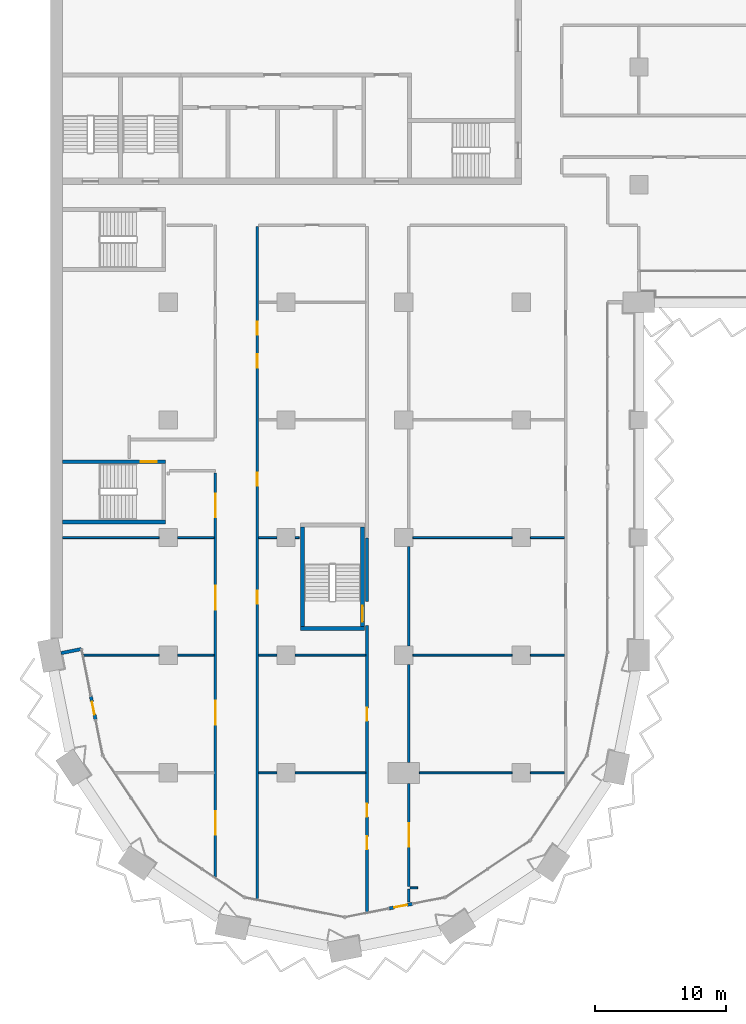
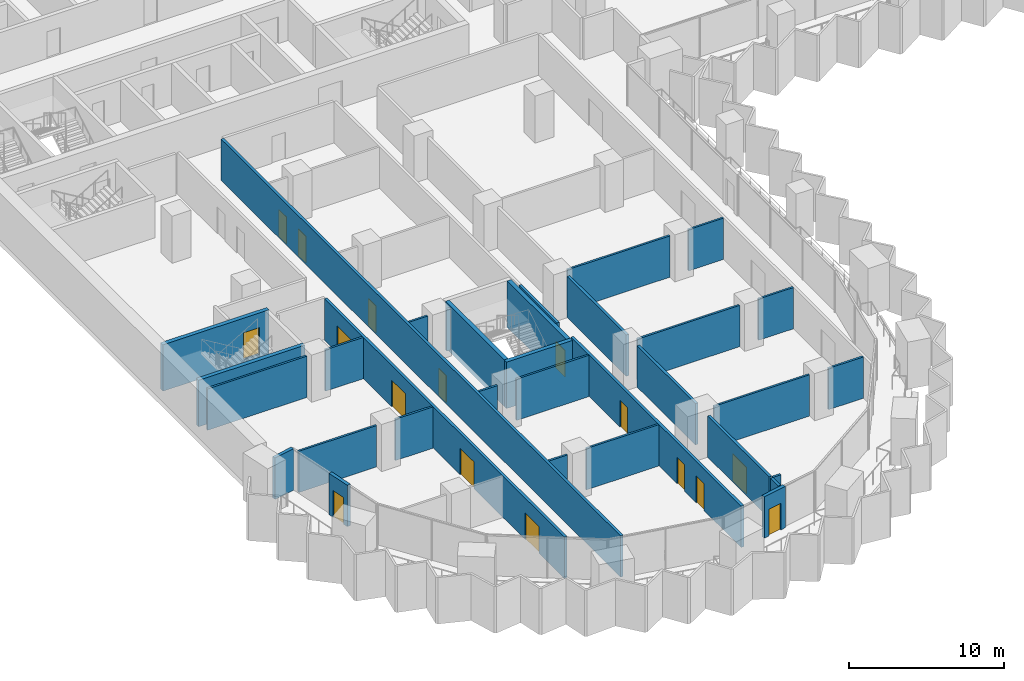
# One storey, part 10 of 28: 33 walls, 16 doors, 16 openings.
"""IFC4 building model written with IfcOpenShell, lengths in metres."""

from ifc_helpers import new_model, si_unit, direction, frame, frame_2d, origin, place, context, subcontext, project, spatial, rectangle, extrude, material, layer, layer_set, type_object, element, fill, save


model = new_model("IFC4")

# Units and contexts
model_context = context("Model", 3, precision=1e-05, world=origin(), true_north=direction((0.0, 1.0)))
body_context = subcontext(model_context, "Body", "Model", "MODEL_VIEW")
ifc_project = project(units=[si_unit("LENGTHUNIT", "METRE"), si_unit("AREAUNIT", "SQUARE_METRE"), si_unit("VOLUMEUNIT", "CUBIC_METRE"), si_unit("PLANEANGLEUNIT", "RADIAN"), si_unit("MASSUNIT", "GRAM", prefix="KILO")], contexts=[model_context])

# Site, building, storey
site_placement = place(None, origin())
site = spatial("IfcSite", under=ifc_project, at=site_placement, CompositionType="ELEMENT")
building_placement = place(site_placement, origin())
building = spatial("IfcBuilding", under=site, at=building_placement, Name="Hunhe Ridgeline Campus", CompositionType="ELEMENT")
storey_placement = place(building_placement, frame((0.0, 0.0, 76.5)))
storey = spatial("IfcBuildingStorey", under=building, at=storey_placement, Name="L18", CompositionType="ELEMENT", Elevation=76.5)

# Wall
ifc_material_1 = material(Name="Concrete C30", Category="concrete")
ifc_layer_1 = layer(ifc_material_1, 0.25)
ifc_layer_set_1 = layer_set([ifc_layer_1], Name="Corner return wall 250 Concrete C30")
wall_type_1 = type_object("IfcWallType", Name="Corner return wall 250 Concrete C30", PredefinedType="SOLIDWALL", material=ifc_layer_set_1)
wall_1_placement = place(storey_placement, frame((0.784423828125, 27.15673828125, 0.0), z_axis=(0.0, 0.0, 1.0), x_axis=(0.980826234823, 0.19488431718, 0.0)))
element("IfcWall", 1, at=wall_1_placement, inside=storey, type_object=wall_type_1, Name="Corner return wall 1", PredefinedType="SOLIDWALL", context=body_context, shape_type="SweptSolid", body=[
    extrude(rectangle(XDim=1.60107421875, YDim=0.25, at=frame_2d((0.800537109375, 0.0))), origin(), (0.0, 0.0, 1.0), 3.25),
])

# Wall, openings, doors
ifc_material_2 = material(Name="Gypsum board partition")
ifc_layer_2 = layer(ifc_material_2, 0.199951171875)
ifc_layer_set_2 = layer_set([ifc_layer_2], Name="Corridor partition 200 gypsum board on steel studs")
wall_type_2 = type_object("IfcWallType", Name="Corridor partition 200 gypsum board on steel studs", PredefinedType="PARTITIONING", material=ifc_layer_set_2)
wall_2_placement = place(storey_placement, frame((12.60009765625, 10.027099609375, 0.0), z_axis=(0.0, 0.0, 1.0), x_axis=(0.0, 1.0, 0.0)))
wall_2 = element("IfcWall", 2, at=wall_2_placement, inside=storey, type_object=wall_type_2, Name="F-L18-wall-047", PredefinedType="PARTITIONING", context=body_context, shape_type="SweptSolid", body=[
    extrude(rectangle(XDim=30.921142578125, YDim=0.199951171875, at=frame_2d((15.46044921875, 0.0))), origin(), (0.0, 0.0, 1.0), 3.25),
])
opening_1_placement = place(wall_2_placement, frame((3.248046875, 0.0, 0.0)))
opening_1 = element("IfcOpeningElement", 3, at=opening_1_placement, cuts=wall_2, Name="Opening RD2-003", PredefinedType="OPENING", context=body_context, shape_type="SweptSolid", body=[
    extrude(rectangle(XDim=1.800048828125, YDim=2.10009765625, at=frame_2d((0.89990234375, 1.050048828125))), frame((0.0, 0.10009765625, 0.0), z_axis=(0.0, -1.0, 0.0), x_axis=(1.0, 0.0, 0.0)), (0.0, 0.0, 1.0), 0.199951171875),
])
opening_2_placement = place(wall_2_placement, frame((11.669677734375, 0.0, 0.0)))
opening_2 = element("IfcOpeningElement", 4, at=opening_2_placement, cuts=wall_2, Name="Opening RD2-007", PredefinedType="OPENING", context=body_context, shape_type="SweptSolid", body=[
    extrude(rectangle(XDim=1.800048828125, YDim=2.10009765625, at=frame_2d((0.89990234375, 1.050048828125))), frame((0.0, 0.10009765625, 0.0), z_axis=(0.0, -1.0, 0.0), x_axis=(1.0, 0.0, 0.0)), (0.0, 0.0, 1.0), 0.199951171875),
])
opening_3_placement = place(wall_2_placement, frame((20.46826171875, 0.0, 0.0)))
opening_3 = element("IfcOpeningElement", 5, at=opening_3_placement, cuts=wall_2, Name="Opening RD2-008", PredefinedType="OPENING", context=body_context, shape_type="SweptSolid", body=[
    extrude(rectangle(XDim=1.800048828125, YDim=2.10009765625, at=frame_2d((0.89990234375, 1.050048828125))), frame((0.0, 0.10009765625, 0.0), z_axis=(0.0, -1.0, 0.0), x_axis=(1.0, 0.0, 0.0)), (0.0, 0.0, 1.0), 0.199951171875),
])
opening_4_placement = place(wall_2_placement, frame((27.50732421875, 0.0, 0.0)))
opening_4 = element("IfcOpeningElement", 6, at=opening_4_placement, cuts=wall_2, Name="Opening RD2-011", PredefinedType="OPENING", context=body_context, shape_type="SweptSolid", body=[
    extrude(rectangle(XDim=1.800048828125, YDim=2.10009765625, at=frame_2d((0.89990234375, 1.050048828125))), frame((0.0, 0.10009765625, 0.0), z_axis=(0.0, -1.0, 0.0), x_axis=(1.0, 0.0, 0.0)), (0.0, 0.0, 1.0), 0.199951171875),
])
ifc_material_3 = material(Name="Timber door leaf", Category="wood")
door_type_1 = type_object("IfcDoorType", Name="Double fire door 1800x2100 timber FD60", OperationType="DOUBLE_DOOR_SINGLE_SWING", PredefinedType="DOOR", material=ifc_material_3)
door_1_placement = place(opening_1_placement, origin())
door_1 = element("IfcDoor", 7, at=door_1_placement, inside=storey, type_object=door_type_1, Name="F-L18-door-003", OperationType="DOUBLE_DOOR_SINGLE_SWING", OverallHeight=2.10009765625, OverallWidth=1.800048828125, PredefinedType="DOOR", context=body_context, shape_type="SweptSolid", body=[
    extrude(rectangle(XDim=1.800048828125, YDim=2.10009765625, at=frame_2d((0.89990234375, 1.050048828125))), frame((0.0, 0.02490234375, 0.0), z_axis=(0.0, -1.0, 0.0), x_axis=(1.0, 0.0, 0.0)), (0.0, 0.0, 1.0), 0.050048828125),
])
fill(opening_1, door_1)
door_2_placement = place(opening_2_placement, origin())
door_2 = element("IfcDoor", 8, at=door_2_placement, inside=storey, type_object=door_type_1, Name="F-L18-door-007", OperationType="DOUBLE_DOOR_SINGLE_SWING", OverallHeight=2.10009765625, OverallWidth=1.800048828125, PredefinedType="DOOR", context=body_context, shape_type="SweptSolid", body=[
    extrude(rectangle(XDim=1.800048828125, YDim=2.10009765625, at=frame_2d((0.89990234375, 1.050048828125))), frame((0.0, 0.02490234375, 0.0), z_axis=(0.0, -1.0, 0.0), x_axis=(1.0, 0.0, 0.0)), (0.0, 0.0, 1.0), 0.050048828125),
])
fill(opening_2, door_2)
door_3_placement = place(opening_3_placement, origin())
door_3 = element("IfcDoor", 9, at=door_3_placement, inside=storey, type_object=door_type_1, Name="F-L18-door-008", OperationType="DOUBLE_DOOR_SINGLE_SWING", OverallHeight=2.10009765625, OverallWidth=1.800048828125, PredefinedType="DOOR", context=body_context, shape_type="SweptSolid", body=[
    extrude(rectangle(XDim=1.800048828125, YDim=2.10009765625, at=frame_2d((0.89990234375, 1.050048828125))), frame((0.0, 0.02490234375, 0.0), z_axis=(0.0, -1.0, 0.0), x_axis=(1.0, 0.0, 0.0)), (0.0, 0.0, 1.0), 0.050048828125),
])
fill(opening_3, door_3)
door_4_placement = place(opening_4_placement, origin())
door_4 = element("IfcDoor", 10, at=door_4_placement, inside=storey, type_object=door_type_1, Name="F-L18-door-011", OperationType="DOUBLE_DOOR_SINGLE_SWING", OverallHeight=2.10009765625, OverallWidth=1.800048828125, PredefinedType="DOOR", context=body_context, shape_type="SweptSolid", body=[
    extrude(rectangle(XDim=1.800048828125, YDim=2.10009765625, at=frame_2d((0.89990234375, 1.050048828125))), frame((0.0, 0.02490234375, 0.0), z_axis=(0.0, -1.0, 0.0), x_axis=(1.0, 0.0, 0.0)), (0.0, 0.0, 1.0), 0.050048828125),
])
fill(opening_4, door_4)

wall_3_placement = place(storey_placement, frame((15.800048828125, 59.800048828125, 0.0), z_axis=(0.0, 0.0, 1.0), x_axis=(0.0, -1.0, 0.0)))
wall_3 = element("IfcWall", 11, at=wall_3_placement, inside=storey, type_object=wall_type_2, Name="F-L18-wall-049", PredefinedType="PARTITIONING", context=body_context, shape_type="SweptSolid", body=[
    extrude(rectangle(XDim=51.46435546875, YDim=0.199951171875, at=frame_2d((25.732177734375, 0.0))), origin(), (0.0, 0.0, 1.0), 3.25),
])
opening_5_placement = place(wall_3_placement, frame((27.8681640625, 0.0, 0.0)))
opening_5 = element("IfcOpeningElement", 12, at=opening_5_placement, cuts=wall_3, Name="Opening RD1-009", PredefinedType="OPENING", context=body_context, shape_type="SweptSolid", body=[
    extrude(rectangle(XDim=1.0, YDim=2.10009765625, at=frame_2d((0.5, 1.050048828125))), frame((0.0, 0.10009765625, 0.0), z_axis=(0.0, -1.0, 0.0), x_axis=(1.0, 0.0, 0.0)), (0.0, 0.0, 1.0), 0.199951171875),
])
opening_6_placement = place(wall_3_placement, frame((18.83056640625, 0.0, 0.0)))
opening_6 = element("IfcOpeningElement", 13, at=opening_6_placement, cuts=wall_3, Name="Opening RD1-012", PredefinedType="OPENING", context=body_context, shape_type="SweptSolid", body=[
    extrude(rectangle(XDim=1.0, YDim=2.10009765625, at=frame_2d((0.5, 1.050048828125))), frame((0.0, 0.10009765625, 0.0), z_axis=(0.0, -1.0, 0.0), x_axis=(1.0, 0.0, 0.0)), (0.0, 0.0, 1.0), 0.199951171875),
])
opening_7_placement = place(wall_3_placement, frame((9.792724609375, 0.0, 0.0)))
opening_7 = element("IfcOpeningElement", 14, at=opening_7_placement, cuts=wall_3, Name="Opening RD1-014", PredefinedType="OPENING", context=body_context, shape_type="SweptSolid", body=[
    extrude(rectangle(XDim=1.0, YDim=2.10009765625, at=frame_2d((0.5, 1.050048828125))), frame((0.0, 0.10009765625, 0.0), z_axis=(0.0, -1.0, 0.0), x_axis=(1.0, 0.0, 0.0)), (0.0, 0.0, 1.0), 0.199951171875),
])
opening_8_placement = place(wall_3_placement, frame((7.292724609375, 0.0, 0.0)))
opening_8 = element("IfcOpeningElement", 15, at=opening_8_placement, cuts=wall_3, Name="Opening RD1-016", PredefinedType="OPENING", context=body_context, shape_type="SweptSolid", body=[
    extrude(rectangle(XDim=1.0, YDim=2.10009765625, at=frame_2d((0.5, 1.050048828125))), frame((0.0, 0.10009765625, 0.0), z_axis=(0.0, -1.0, 0.0), x_axis=(1.0, 0.0, 0.0)), (0.0, 0.0, 1.0), 0.199951171875),
])
door_type_2 = type_object("IfcDoorType", Name="Single fire door 1000x2100 timber FD60", OperationType="NOTDEFINED", PredefinedType="DOOR", material=ifc_material_3)
door_5_placement = place(opening_5_placement, origin())
door_5 = element("IfcDoor", 16, at=door_5_placement, inside=storey, type_object=door_type_2, Name="F-L18-door-009", OperationType="SINGLE_SWING_LEFT", OverallHeight=2.10009765625, OverallWidth=1.0, PredefinedType="DOOR", context=body_context, shape_type="SweptSolid", body=[
    extrude(rectangle(XDim=1.0, YDim=2.10009765625, at=frame_2d((0.5, 1.050048828125))), frame((0.0, 0.02490234375, 0.0), z_axis=(0.0, -1.0, 0.0), x_axis=(1.0, 0.0, 0.0)), (0.0, 0.0, 1.0), 0.050048828125),
])
fill(opening_5, door_5)
door_6_placement = place(opening_6_placement, origin())
door_6 = element("IfcDoor", 17, at=door_6_placement, inside=storey, type_object=door_type_2, Name="F-L18-door-012", OperationType="SINGLE_SWING_LEFT", OverallHeight=2.10009765625, OverallWidth=1.0, PredefinedType="DOOR", context=body_context, shape_type="SweptSolid", body=[
    extrude(rectangle(XDim=1.0, YDim=2.10009765625, at=frame_2d((0.5, 1.050048828125))), frame((0.0, 0.02490234375, 0.0), z_axis=(0.0, -1.0, 0.0), x_axis=(1.0, 0.0, 0.0)), (0.0, 0.0, 1.0), 0.050048828125),
])
fill(opening_6, door_6)
door_7_placement = place(opening_7_placement, frame((1.0, 0.0, 0.0), z_axis=(0.0, 0.0, 1.0), x_axis=(-1.0, 0.0, 0.0)))
door_7 = element("IfcDoor", 18, at=door_7_placement, inside=storey, type_object=door_type_2, Name="F-L18-door-014", OperationType="SINGLE_SWING_RIGHT", OverallHeight=2.10009765625, OverallWidth=1.0, PredefinedType="DOOR", context=body_context, shape_type="SweptSolid", body=[
    extrude(rectangle(XDim=1.0, YDim=2.10009765625, at=frame_2d((0.5, 1.050048828125))), frame((0.0, 0.02490234375, 0.0), z_axis=(0.0, -1.0, 0.0), x_axis=(1.0, 0.0, 0.0)), (0.0, 0.0, 1.0), 0.050048828125),
])
fill(opening_7, door_7)
door_8_placement = place(opening_8_placement, frame((1.0, 0.0, 0.0), z_axis=(0.0, 0.0, 1.0), x_axis=(-1.0, 0.0, 0.0)))
door_8 = element("IfcDoor", 19, at=door_8_placement, inside=storey, type_object=door_type_2, Name="F-L18-door-016", OperationType="SINGLE_SWING_RIGHT", OverallHeight=2.10009765625, OverallWidth=1.0, PredefinedType="DOOR", context=body_context, shape_type="SweptSolid", body=[
    extrude(rectangle(XDim=1.0, YDim=2.10009765625, at=frame_2d((0.5, 1.050048828125))), frame((0.0, 0.02490234375, 0.0), z_axis=(0.0, -1.0, 0.0), x_axis=(1.0, 0.0, 0.0)), (0.0, 0.0, 1.0), 0.050048828125),
])
fill(opening_8, door_8)

# Wall
wall_4_placement = place(storey_placement, frame((24.199951171875, 31.095458984375, 0.0), z_axis=(0.0, 0.0, 1.0), x_axis=(0.0, 1.0, 0.0)))
element("IfcWall", 20, at=wall_4_placement, inside=storey, type_object=wall_type_2, Name="F-L18-wall-050", PredefinedType="PARTITIONING", context=body_context, shape_type="SweptSolid", body=[
    extrude(rectangle(XDim=4.88427734375, YDim=0.199951171875, at=frame_2d((2.442138671875, 0.0))), origin(), (0.0, 0.0, 1.0), 3.25),
])

# Wall, openings, doors
wall_5_placement = place(storey_placement, frame((24.199951171875, 7.34130859375, 0.0), z_axis=(0.0, 0.0, 1.0), x_axis=(0.0, 1.0, 0.0)))
wall_5 = element("IfcWall", 21, at=wall_5_placement, inside=storey, type_object=wall_type_2, Name="F-L18-wall-051", PredefinedType="PARTITIONING", context=body_context, shape_type="SweptSolid", body=[
    extrude(rectangle(XDim=21.93359375, YDim=0.199951171875, at=frame_2d((10.966796875, 0.0))), origin(), (0.0, 0.0, 1.0), 3.25),
])
opening_9_placement = place(wall_5_placement, frame((4.79443359375, 0.0, 0.0)))
opening_9 = element("IfcOpeningElement", 22, at=opening_9_placement, cuts=wall_5, Name="Opening RD1-001", PredefinedType="OPENING", context=body_context, shape_type="SweptSolid", body=[
    extrude(rectangle(XDim=1.0, YDim=2.10009765625, at=frame_2d((0.5, 1.050048828125))), frame((0.0, 0.10009765625, 0.0), z_axis=(0.0, -1.0, 0.0), x_axis=(1.0, 0.0, 0.0)), (0.0, 0.0, 1.0), 0.199951171875),
])
opening_10_placement = place(wall_5_placement, frame((7.29443359375, 0.0, 0.0)))
opening_10 = element("IfcOpeningElement", 23, at=opening_10_placement, cuts=wall_5, Name="Opening RD1-004", PredefinedType="OPENING", context=body_context, shape_type="SweptSolid", body=[
    extrude(rectangle(XDim=1.0, YDim=2.10009765625, at=frame_2d((0.5, 1.050048828125))), frame((0.0, 0.10009765625, 0.0), z_axis=(0.0, -1.0, 0.0), x_axis=(1.0, 0.0, 0.0)), (0.0, 0.0, 1.0), 0.199951171875),
])
opening_11_placement = place(wall_5_placement, frame((14.626708984375, 0.0, 0.0)))
opening_11 = element("IfcOpeningElement", 24, at=opening_11_placement, cuts=wall_5, Name="Opening RD1-005", PredefinedType="OPENING", context=body_context, shape_type="SweptSolid", body=[
    extrude(rectangle(XDim=1.0, YDim=2.10009765625, at=frame_2d((0.5, 1.050048828125))), frame((0.0, 0.10009765625, 0.0), z_axis=(0.0, -1.0, 0.0), x_axis=(1.0, 0.0, 0.0)), (0.0, 0.0, 1.0), 0.199951171875),
])
door_9_placement = place(opening_9_placement, frame((1.0, 0.0, 0.0), z_axis=(0.0, 0.0, 1.0), x_axis=(-1.0, 0.0, 0.0)))
door_9 = element("IfcDoor", 25, at=door_9_placement, inside=storey, type_object=door_type_2, Name="F-L18-door-001", OperationType="SINGLE_SWING_RIGHT", OverallHeight=2.10009765625, OverallWidth=1.0, PredefinedType="DOOR", context=body_context, shape_type="SweptSolid", body=[
    extrude(rectangle(XDim=1.0, YDim=2.10009765625, at=frame_2d((0.5, 1.050048828125))), frame((0.0, 0.02490234375, 0.0), z_axis=(0.0, -1.0, 0.0), x_axis=(1.0, 0.0, 0.0)), (0.0, 0.0, 1.0), 0.050048828125),
])
fill(opening_9, door_9)
door_10_placement = place(opening_10_placement, frame((1.0, 0.0, 0.0), z_axis=(0.0, 0.0, 1.0), x_axis=(-1.0, 0.0, 0.0)))
door_10 = element("IfcDoor", 26, at=door_10_placement, inside=storey, type_object=door_type_2, Name="F-L18-door-004", OperationType="SINGLE_SWING_LEFT", OverallHeight=2.10009765625, OverallWidth=1.0, PredefinedType="DOOR", context=body_context, shape_type="SweptSolid", body=[
    extrude(rectangle(XDim=1.0, YDim=2.10009765625, at=frame_2d((0.5, 1.050048828125))), frame((0.0, 0.02490234375, 0.0), z_axis=(0.0, -1.0, 0.0), x_axis=(1.0, 0.0, 0.0)), (0.0, 0.0, 1.0), 0.050048828125),
])
fill(opening_10, door_10)
door_11_placement = place(opening_11_placement, origin())
door_11 = element("IfcDoor", 27, at=door_11_placement, inside=storey, type_object=door_type_2, Name="F-L18-door-005", OperationType="SINGLE_SWING_RIGHT", OverallHeight=2.10009765625, OverallWidth=1.0, PredefinedType="DOOR", context=body_context, shape_type="SweptSolid", body=[
    extrude(rectangle(XDim=1.0, YDim=2.10009765625, at=frame_2d((0.5, 1.050048828125))), frame((0.0, 0.02490234375, 0.0), z_axis=(0.0, -1.0, 0.0), x_axis=(1.0, 0.0, 0.0)), (0.0, 0.0, 1.0), 0.050048828125),
])
fill(opening_11, door_11)

# Wall
wall_6_placement = place(storey_placement, frame((27.39990234375, 9.1240234375, 0.0), z_axis=(0.0, 0.0, 1.0), x_axis=(0.0, -1.0, 0.0)))
element("IfcWall", 28, at=wall_6_placement, inside=storey, type_object=wall_type_2, Name="F-L18-wall-053", PredefinedType="PARTITIONING", context=body_context, shape_type="SweptSolid", body=[
    extrude(rectangle(XDim=1.011474609375, YDim=0.199951171875, at=frame_2d((0.505859375, 0.0))), origin(), (0.0, 0.0, 1.0), 3.25),
])

# Wall, opening, door
wall_7_placement = place(storey_placement, frame((27.39990234375, 17.199951171875, 0.0), z_axis=(0.0, 0.0, 1.0), x_axis=(0.0, -1.0, 0.0)))
wall_7 = element("IfcWall", 29, at=wall_7_placement, inside=storey, type_object=wall_type_2, Name="F-L18-wall-054", PredefinedType="PARTITIONING", context=body_context, shape_type="SweptSolid", body=[
    extrude(rectangle(XDim=7.90087890625, YDim=0.199951171875, at=frame_2d((3.950439453125, 0.0))), origin(), (0.0, 0.0, 1.0), 3.25),
])
opening_12_placement = place(wall_7_placement, frame((3.050537109375, 0.0, 0.0)))
opening_12 = element("IfcOpeningElement", 30, at=opening_12_placement, cuts=wall_7, Name="Opening RD2-002", PredefinedType="OPENING", context=body_context, shape_type="SweptSolid", body=[
    extrude(rectangle(XDim=1.800048828125, YDim=2.10009765625, at=frame_2d((0.89990234375, 1.050048828125))), frame((0.0, 0.10009765625, 0.0), z_axis=(0.0, -1.0, 0.0), x_axis=(1.0, 0.0, 0.0)), (0.0, 0.0, 1.0), 0.199951171875),
])
door_12_placement = place(opening_12_placement, origin())
door_12 = element("IfcDoor", 31, at=door_12_placement, inside=storey, type_object=door_type_1, Name="F-L18-door-002", OperationType="DOUBLE_DOOR_SINGLE_SWING", OverallHeight=2.10009765625, OverallWidth=1.800048828125, PredefinedType="DOOR", context=body_context, shape_type="SweptSolid", body=[
    extrude(rectangle(XDim=1.800048828125, YDim=2.10009765625, at=frame_2d((0.89990234375, 1.050048828125))), frame((0.0, 0.02490234375, 0.0), z_axis=(0.0, -1.0, 0.0), x_axis=(1.0, 0.0, 0.0)), (0.0, 0.0, 1.0), 0.050048828125),
])
fill(opening_12, door_12)

# Walls
wall_8_placement = place(storey_placement, frame((27.39990234375, 26.300048828125, 0.0), z_axis=(0.0, 0.0, 1.0), x_axis=(0.0, -1.0, 0.0)))
element("IfcWall", 32, at=wall_8_placement, inside=storey, type_object=wall_type_2, Name="F-L18-wall-055", PredefinedType="PARTITIONING", context=body_context, shape_type="SweptSolid", body=[
    extrude(rectangle(XDim=7.5, YDim=0.199951171875, at=frame_2d((3.75, 0.0))), origin(), (0.0, 0.0, 1.0), 3.25),
])
wall_9_placement = place(storey_placement, frame((27.39990234375, 35.300048828125, 0.0), z_axis=(0.0, 0.0, 1.0), x_axis=(0.0, -1.0, 0.0)))
element("IfcWall", 33, at=wall_9_placement, inside=storey, type_object=wall_type_2, Name="F-L18-wall-056", PredefinedType="PARTITIONING", context=body_context, shape_type="SweptSolid", body=[
    extrude(rectangle(XDim=7.60009765625, YDim=0.199951171875, at=frame_2d((3.800048828125, 0.0))), origin(), (0.0, 0.0, 1.0), 3.25),
])

# Wall, opening, door
ifc_layer_3 = layer(ifc_material_1, 0.25)
ifc_layer_set_3 = layer_set([ifc_layer_3], Name="Loggia door pier wall 250 Concrete C30")
wall_type_3 = type_object("IfcWallType", Name="Loggia door pier wall 250 Concrete C30", PredefinedType="SOLIDWALL", material=ifc_layer_set_3)
wall_10_placement = place(storey_placement, frame((3.076904296875, 23.8388671875, 0.0), z_axis=(0.0, 0.0, 1.0), x_axis=(0.195046569833, -0.980793982239, 0.0)))
wall_10 = element("IfcWall", 34, at=wall_10_placement, inside=storey, type_object=wall_type_3, Name="Loggia door pier 1", PredefinedType="SOLIDWALL", context=body_context, shape_type="SweptSolid", body=[
    extrude(rectangle(XDim=1.800048828125, YDim=0.25, at=frame_2d((0.89990234375, 0.0))), origin(), (0.0, 0.0, 1.0), 3.25),
])
opening_13_placement = place(wall_10_placement, frame((0.39990234375, 0.0, 0.0)))
opening_13 = element("IfcOpeningElement", 35, at=opening_13_placement, cuts=wall_10, Name="Opening BD101", PredefinedType="OPENING", context=body_context, shape_type="SweptSolid", body=[
    extrude(rectangle(XDim=1.0, YDim=2.10009765625, at=frame_2d((0.5, 1.050048828125))), frame((0.0, 0.125, 0.0), z_axis=(0.0, -1.0, 0.0), x_axis=(1.0, 0.0, 0.0)), (0.0, 0.0, 1.0), 0.25),
])
ifc_material_4 = material(Name="Aluminium 6063", Category="aluminium")
door_type_3 = type_object("IfcDoorType", Name="Loggia glazed door 1000x2100", OperationType="NOTDEFINED", PredefinedType="DOOR", material=ifc_material_4)
door_13_placement = place(opening_13_placement, frame((1.0, 0.0, 0.0), z_axis=(0.0, 0.0, 1.0), x_axis=(-1.0, 0.0, 0.0)))
door_13 = element("IfcDoor", 36, at=door_13_placement, inside=storey, type_object=door_type_3, Name="Loggia door BD101", OperationType="SINGLE_SWING_RIGHT", OverallHeight=2.10009765625, OverallWidth=1.0, PredefinedType="DOOR", context=body_context, shape_type="SweptSolid", body=[
    extrude(rectangle(XDim=1.0, YDim=2.10009765625, at=frame_2d((0.5, 1.050048828125))), frame((0.0, 0.02490234375, 0.0), z_axis=(0.0, -1.0, 0.0), x_axis=(1.0, 0.0, 0.0)), (0.0, 0.0, 1.0), 0.050048828125),
])
fill(opening_13, door_13)

wall_11_placement = place(storey_placement, frame((25.8955078125, 7.62353515625, 0.0), z_axis=(0.0, 0.0, 1.0), x_axis=(0.980793982239, 0.195046569833, 0.0)))
wall_11 = element("IfcWall", 37, at=wall_11_placement, inside=storey, type_object=wall_type_3, Name="Loggia door pier 2", PredefinedType="SOLIDWALL", context=body_context, shape_type="SweptSolid", body=[
    extrude(rectangle(XDim=1.800048828125, YDim=0.25, at=frame_2d((0.89990234375, 0.0))), origin(), (0.0, 0.0, 1.0), 3.25),
])
opening_14_placement = place(wall_11_placement, frame((0.39990234375, 0.0, 0.0)))
opening_14 = element("IfcOpeningElement", 38, at=opening_14_placement, cuts=wall_11, Name="Opening BD103", PredefinedType="OPENING", context=body_context, shape_type="SweptSolid", body=[
    extrude(rectangle(XDim=1.0, YDim=2.10009765625, at=frame_2d((0.5, 1.050048828125))), frame((0.0, 0.125, 0.0), z_axis=(0.0, -1.0, 0.0), x_axis=(1.0, 0.0, 0.0)), (0.0, 0.0, 1.0), 0.25),
])
door_14_placement = place(opening_14_placement, frame((1.0, 0.0, 0.0), z_axis=(0.0, 0.0, 1.0), x_axis=(-1.0, 0.0, 0.0)))
door_14 = element("IfcDoor", 39, at=door_14_placement, inside=storey, type_object=door_type_3, Name="Loggia door BD103", OperationType="SINGLE_SWING_RIGHT", OverallHeight=2.10009765625, OverallWidth=1.0, PredefinedType="DOOR", context=body_context, shape_type="SweptSolid", body=[
    extrude(rectangle(XDim=1.0, YDim=2.10009765625, at=frame_2d((0.5, 1.050048828125))), frame((0.0, 0.02490234375, 0.0), z_axis=(0.0, -1.0, 0.0), x_axis=(1.0, 0.0, 0.0)), (0.0, 0.0, 1.0), 0.050048828125),
])
fill(opening_14, door_14)

# Walls
ifc_layer_4 = layer(ifc_material_2, 0.14990234375)
ifc_layer_set_4 = layer_set([ifc_layer_4], Name="Room partition 150 gypsum board on steel studs")
wall_type_4 = type_object("IfcWallType", Name="Room partition 150 gypsum board on steel studs", PredefinedType="PARTITIONING", material=ifc_layer_set_4)
wall_12_placement = place(storey_placement, frame((27.5, 9.198974609375, 0.0), z_axis=(0.0, 0.0, 1.0), x_axis=(1.0, 0.0, 0.0)))
element("IfcWall", 40, at=wall_12_placement, inside=storey, type_object=wall_type_4, Name="F-L18-wall-001", PredefinedType="PARTITIONING", context=body_context, shape_type="SweptSolid", body=[
    extrude(rectangle(XDim=0.578125, YDim=0.14990234375, at=frame_2d((0.2890625, 0.0))), origin(), (0.0, 0.0, 1.0), 3.25),
])
wall_13_placement = place(storey_placement, frame((15.89990234375, 18.0, 0.0), z_axis=(0.0, 0.0, 1.0), x_axis=(1.0, 0.0, 0.0)))
element("IfcWall", 41, at=wall_13_placement, inside=storey, type_object=wall_type_4, Name="F-L18-wall-004", PredefinedType="PARTITIONING", context=body_context, shape_type="SweptSolid", body=[
    extrude(rectangle(XDim=1.400146484375, YDim=0.14990234375, at=frame_2d((0.7001953125, 0.0))), origin(), (0.0, 0.0, 1.0), 3.25),
])
wall_14_placement = place(storey_placement, frame((18.699951171875, 18.0, 0.0), z_axis=(0.0, 0.0, 1.0), x_axis=(1.0, 0.0, 0.0)))
element("IfcWall", 42, at=wall_14_placement, inside=storey, type_object=wall_type_4, Name="F-L18-wall-005", PredefinedType="PARTITIONING", context=body_context, shape_type="SweptSolid", body=[
    extrude(rectangle(XDim=5.400146484375, YDim=0.14990234375, at=frame_2d((2.7001953125, 0.0))), origin(), (0.0, 0.0, 1.0), 3.25),
])
wall_15_placement = place(storey_placement, frame((28.199951171875, 18.0, 0.0), z_axis=(0.0, 0.0, 1.0), x_axis=(1.0, 0.0, 0.0)))
element("IfcWall", 43, at=wall_15_placement, inside=storey, type_object=wall_type_4, Name="F-L18-wall-006", PredefinedType="PARTITIONING", context=body_context, shape_type="SweptSolid", body=[
    extrude(rectangle(XDim=7.10009765625, YDim=0.14990234375, at=frame_2d((3.550048828125, 0.0))), origin(), (0.0, 0.0, 1.0), 3.25),
])
wall_16_placement = place(storey_placement, frame((36.699951171875, 18.0, 0.0), z_axis=(0.0, 0.0, 1.0), x_axis=(1.0, 0.0, 0.0)))
element("IfcWall", 44, at=wall_16_placement, inside=storey, type_object=wall_type_4, Name="F-L18-wall-007", PredefinedType="PARTITIONING", context=body_context, shape_type="SweptSolid", body=[
    extrude(rectangle(XDim=2.60009765625, YDim=0.14990234375, at=frame_2d((1.300048828125, 0.0))), origin(), (0.0, 0.0, 1.0), 3.25),
])
wall_17_placement = place(storey_placement, frame((2.503173828125, 27.0, 0.0), z_axis=(0.0, 0.0, 1.0), x_axis=(1.0, 0.0, 0.0)))
element("IfcWall", 45, at=wall_17_placement, inside=storey, type_object=wall_type_4, Name="F-L18-wall-008", PredefinedType="PARTITIONING", context=body_context, shape_type="SweptSolid", body=[
    extrude(rectangle(XDim=5.796875, YDim=0.14990234375, at=frame_2d((2.8984375, 0.0))), origin(), (0.0, 0.0, 1.0), 3.25),
])
wall_18_placement = place(storey_placement, frame((9.699951171875, 27.0, 0.0), z_axis=(0.0, 0.0, 1.0), x_axis=(1.0, 0.0, 0.0)))
element("IfcWall", 46, at=wall_18_placement, inside=storey, type_object=wall_type_4, Name="F-L18-wall-009", PredefinedType="PARTITIONING", context=body_context, shape_type="SweptSolid", body=[
    extrude(rectangle(XDim=2.800048828125, YDim=0.14990234375, at=frame_2d((1.39990234375, 0.0))), origin(), (0.0, 0.0, 1.0), 3.25),
])
wall_19_placement = place(storey_placement, frame((15.89990234375, 27.0, 0.0), z_axis=(0.0, 0.0, 1.0), x_axis=(1.0, 0.0, 0.0)))
element("IfcWall", 47, at=wall_19_placement, inside=storey, type_object=wall_type_4, Name="F-L18-wall-010", PredefinedType="PARTITIONING", context=body_context, shape_type="SweptSolid", body=[
    extrude(rectangle(XDim=1.400146484375, YDim=0.14990234375, at=frame_2d((0.7001953125, 0.0))), origin(), (0.0, 0.0, 1.0), 3.25),
])
wall_20_placement = place(storey_placement, frame((18.699951171875, 27.0, 0.0), z_axis=(0.0, 0.0, 1.0), x_axis=(1.0, 0.0, 0.0)))
element("IfcWall", 48, at=wall_20_placement, inside=storey, type_object=wall_type_4, Name="F-L18-wall-011", PredefinedType="PARTITIONING", context=body_context, shape_type="SweptSolid", body=[
    extrude(rectangle(XDim=5.400146484375, YDim=0.14990234375, at=frame_2d((2.7001953125, 0.0))), origin(), (0.0, 0.0, 1.0), 3.25),
])
wall_21_placement = place(storey_placement, frame((27.699951171875, 27.0, 0.0), z_axis=(0.0, 0.0, 1.0), x_axis=(1.0, 0.0, 0.0)))
element("IfcWall", 49, at=wall_21_placement, inside=storey, type_object=wall_type_4, Name="F-L18-wall-012", PredefinedType="PARTITIONING", context=body_context, shape_type="SweptSolid", body=[
    extrude(rectangle(XDim=7.60009765625, YDim=0.14990234375, at=frame_2d((3.800048828125, 0.0))), origin(), (0.0, 0.0, 1.0), 3.25),
])
wall_22_placement = place(storey_placement, frame((36.699951171875, 27.0, 0.0), z_axis=(0.0, 0.0, 1.0), x_axis=(1.0, 0.0, 0.0)))
element("IfcWall", 50, at=wall_22_placement, inside=storey, type_object=wall_type_4, Name="F-L18-wall-013", PredefinedType="PARTITIONING", context=body_context, shape_type="SweptSolid", body=[
    extrude(rectangle(XDim=2.60009765625, YDim=0.14990234375, at=frame_2d((1.300048828125, 0.0))), origin(), (0.0, 0.0, 1.0), 3.25),
])
wall_23_placement = place(storey_placement, frame((0.919921875, 36.0, 0.0), z_axis=(0.0, 0.0, 1.0), x_axis=(1.0, 0.0, 0.0)))
element("IfcWall", 51, at=wall_23_placement, inside=storey, type_object=wall_type_4, Name="F-L18-wall-014", PredefinedType="PARTITIONING", context=body_context, shape_type="SweptSolid", body=[
    extrude(rectangle(XDim=7.380126953125, YDim=0.14990234375, at=frame_2d((3.68994140625, 0.0))), origin(), (0.0, 0.0, 1.0), 3.25),
])
wall_24_placement = place(storey_placement, frame((9.699951171875, 36.0, 0.0), z_axis=(0.0, 0.0, 1.0), x_axis=(1.0, 0.0, 0.0)))
element("IfcWall", 52, at=wall_24_placement, inside=storey, type_object=wall_type_4, Name="F-L18-wall-015", PredefinedType="PARTITIONING", context=body_context, shape_type="SweptSolid", body=[
    extrude(rectangle(XDim=2.800048828125, YDim=0.14990234375, at=frame_2d((1.39990234375, 0.0))), origin(), (0.0, 0.0, 1.0), 3.25),
])
wall_25_placement = place(storey_placement, frame((15.89990234375, 36.0, 0.0), z_axis=(0.0, 0.0, 1.0), x_axis=(1.0, 0.0, 0.0)))
element("IfcWall", 53, at=wall_25_placement, inside=storey, type_object=wall_type_4, Name="F-L18-wall-016", PredefinedType="PARTITIONING", context=body_context, shape_type="SweptSolid", body=[
    extrude(rectangle(XDim=1.400146484375, YDim=0.14990234375, at=frame_2d((0.7001953125, 0.0))), origin(), (0.0, 0.0, 1.0), 3.25),
])
wall_26_placement = place(storey_placement, frame((18.699951171875, 36.0, 0.0), z_axis=(0.0, 0.0, 1.0), x_axis=(1.0, 0.0, 0.0)))
element("IfcWall", 54, at=wall_26_placement, inside=storey, type_object=wall_type_4, Name="F-L18-wall-017", PredefinedType="PARTITIONING", context=body_context, shape_type="SweptSolid", body=[
    extrude(rectangle(XDim=0.296142578125, YDim=0.14990234375, at=frame_2d((0.14794921875, 0.0))), origin(), (0.0, 0.0, 1.0), 3.25),
])
wall_27_placement = place(storey_placement, frame((27.699951171875, 36.0, 0.0), z_axis=(0.0, 0.0, 1.0), x_axis=(1.0, 0.0, 0.0)))
element("IfcWall", 55, at=wall_27_placement, inside=storey, type_object=wall_type_4, Name="F-L18-wall-018", PredefinedType="PARTITIONING", context=body_context, shape_type="SweptSolid", body=[
    extrude(rectangle(XDim=7.60009765625, YDim=0.14990234375, at=frame_2d((3.800048828125, 0.0))), origin(), (0.0, 0.0, 1.0), 3.25),
])
wall_28_placement = place(storey_placement, frame((36.699951171875, 36.0, 0.0), z_axis=(0.0, 0.0, 1.0), x_axis=(1.0, 0.0, 0.0)))
element("IfcWall", 56, at=wall_28_placement, inside=storey, type_object=wall_type_4, Name="F-L18-wall-019", PredefinedType="PARTITIONING", context=body_context, shape_type="SweptSolid", body=[
    extrude(rectangle(XDim=2.60009765625, YDim=0.14990234375, at=frame_2d((1.300048828125, 0.0))), origin(), (0.0, 0.0, 1.0), 3.25),
])
ifc_material_5 = material(Name="Concrete C80", Category="concrete")
ifc_layer_5 = layer(ifc_material_5, 0.300048828125)
ifc_layer_set_5 = layer_set([ifc_layer_5], Name="Stair wall 300 reinforced concrete C80")
wall_type_5 = type_object("IfcWallType", Name="Stair wall 300 reinforced concrete C80", PredefinedType="SOLIDWALL", material=ifc_layer_set_5)
wall_29_placement = place(storey_placement, frame((19.10009765625, 29.050048828125, -0.39990234375), z_axis=(0.0, 0.0, 1.0), x_axis=(1.0, 0.0, 0.0)))
element("IfcWall", 57, at=wall_29_placement, inside=storey, type_object=wall_type_5, Name="L18 core wall 1", PredefinedType="SOLIDWALL", context=body_context, shape_type="SweptSolid", body=[
    extrude(rectangle(XDim=4.89990234375, YDim=0.300048828125, at=frame_2d((2.449951171875, 0.0))), origin(), (0.0, 0.0, 1.0), 3.64990234375),
])
wall_30_placement = place(storey_placement, frame((0.89990234375, 37.199951171875, -0.39990234375), z_axis=(0.0, 0.0, 1.0), x_axis=(1.0, 0.0, 0.0)))
element("IfcWall", 58, at=wall_30_placement, inside=storey, type_object=wall_type_5, Name="L18 core wall 3", PredefinedType="SOLIDWALL", context=body_context, shape_type="SweptSolid", body=[
    extrude(rectangle(XDim=7.900146484375, YDim=0.300048828125, at=frame_2d((3.9501953125, 0.0))), origin(), (0.0, 0.0, 1.0), 3.64990234375),
])

# Wall, opening, door
wall_31_placement = place(storey_placement, frame((0.89990234375, 41.800048828125, -0.39990234375), z_axis=(0.0, 0.0, 1.0), x_axis=(1.0, 0.0, 0.0)))
wall_31 = element("IfcWall", 59, at=wall_31_placement, inside=storey, type_object=wall_type_5, Name="L18 core wall 4", PredefinedType="SOLIDWALL", context=body_context, shape_type="SweptSolid", body=[
    extrude(rectangle(XDim=7.900146484375, YDim=0.300048828125, at=frame_2d((3.9501953125, 0.0))), origin(), (0.0, 0.0, 1.0), 3.64990234375),
])
opening_15_placement = place(wall_31_placement, frame((6.0, 0.0, 0.39990234375)))
opening_15 = element("IfcOpeningElement", 60, at=opening_15_placement, cuts=wall_31, Name="Opening CD21", PredefinedType="OPENING", context=body_context, shape_type="SweptSolid", body=[
    extrude(rectangle(XDim=1.199951171875, YDim=2.10009765625, at=frame_2d((0.60009765625, 1.050048828125))), frame((0.0, 0.14990234375, 0.0), z_axis=(0.0, -1.0, 0.0), x_axis=(1.0, 0.0, 0.0)), (0.0, 0.0, 1.0), 0.300048828125),
])
ifc_material_6 = material(Name="Hollow metal fire door leaf")
door_type_4 = type_object("IfcDoorType", Name="Stair door 1200x2100 FD60", OperationType="SINGLE_SWING_LEFT", PredefinedType="DOOR", material=ifc_material_6)
door_15_placement = place(opening_15_placement, origin())
door_15 = element("IfcDoor", 61, at=door_15_placement, inside=storey, type_object=door_type_4, Name="L18 door W1", OperationType="SINGLE_SWING_LEFT", OverallHeight=2.10009765625, OverallWidth=1.199951171875, PredefinedType="DOOR", context=body_context, shape_type="SweptSolid", body=[
    extrude(rectangle(XDim=1.199951171875, YDim=2.10009765625, at=frame_2d((0.60009765625, 1.050048828125))), frame((0.0, 0.02490234375, 0.0), z_axis=(0.0, -1.0, 0.0), x_axis=(1.0, 0.0, 0.0)), (0.0, 0.0, 1.0), 0.050048828125),
])
fill(opening_15, door_15)

# Wall
wall_32_placement = place(storey_placement, frame((19.25, 29.199951171875, -0.39990234375), z_axis=(0.0, 0.0, 1.0), x_axis=(0.0, 1.0, 0.0)))
element("IfcWall", 62, at=wall_32_placement, inside=storey, type_object=wall_type_5, Name="L18 core wall 50", PredefinedType="SOLIDWALL", context=body_context, shape_type="SweptSolid", body=[
    extrude(rectangle(XDim=7.60009765625, YDim=0.300048828125, at=frame_2d((3.800048828125, 0.0))), origin(), (0.0, 0.0, 1.0), 3.64990234375),
])

# Wall, opening, door
wall_33_placement = place(storey_placement, frame((23.85009765625, 29.199951171875, -0.39990234375), z_axis=(0.0, 0.0, 1.0), x_axis=(0.0, 1.0, 0.0)))
wall_33 = element("IfcWall", 63, at=wall_33_placement, inside=storey, type_object=wall_type_5, Name="L18 core wall 55", PredefinedType="SOLIDWALL", context=body_context, shape_type="SweptSolid", body=[
    extrude(rectangle(XDim=7.60009765625, YDim=0.300048828125, at=frame_2d((3.800048828125, 0.0))), origin(), (0.0, 0.0, 1.0), 3.64990234375),
])
opening_16_placement = place(wall_33_placement, frame((0.375, 0.0, 0.39990234375)))
opening_16 = element("IfcOpeningElement", 64, at=opening_16_placement, cuts=wall_33, Name="Opening CD23", PredefinedType="OPENING", context=body_context, shape_type="SweptSolid", body=[
    extrude(rectangle(XDim=1.199951171875, YDim=2.10009765625, at=frame_2d((0.60009765625, 1.050048828125))), frame((0.0, 0.14990234375, 0.0), z_axis=(0.0, -1.0, 0.0), x_axis=(1.0, 0.0, 0.0)), (0.0, 0.0, 1.0), 0.300048828125),
])
door_16_placement = place(opening_16_placement, frame((1.199951171875, 0.0, 0.0), z_axis=(0.0, 0.0, 1.0), x_axis=(-1.0, 0.0, 0.0)))
door_16 = element("IfcDoor", 65, at=door_16_placement, inside=storey, type_object=door_type_4, Name="L18 door W3", OperationType="SINGLE_SWING_RIGHT", OverallHeight=2.10009765625, OverallWidth=1.199951171875, PredefinedType="DOOR", context=body_context, shape_type="SweptSolid", body=[
    extrude(rectangle(XDim=1.199951171875, YDim=2.10009765625, at=frame_2d((0.60009765625, 1.050048828125))), frame((0.0, 0.02490234375, 0.0), z_axis=(0.0, -1.0, 0.0), x_axis=(1.0, 0.0, 0.0)), (0.0, 0.0, 1.0), 0.050048828125),
])
fill(opening_16, door_16)

save(model, "model.ifc")
